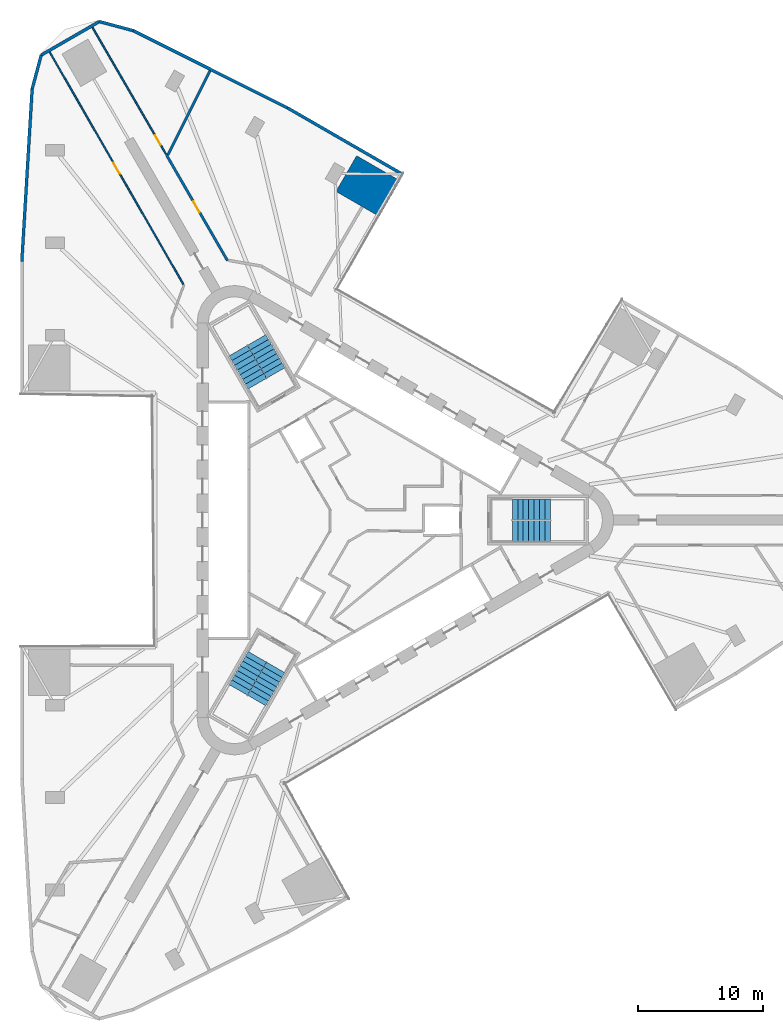
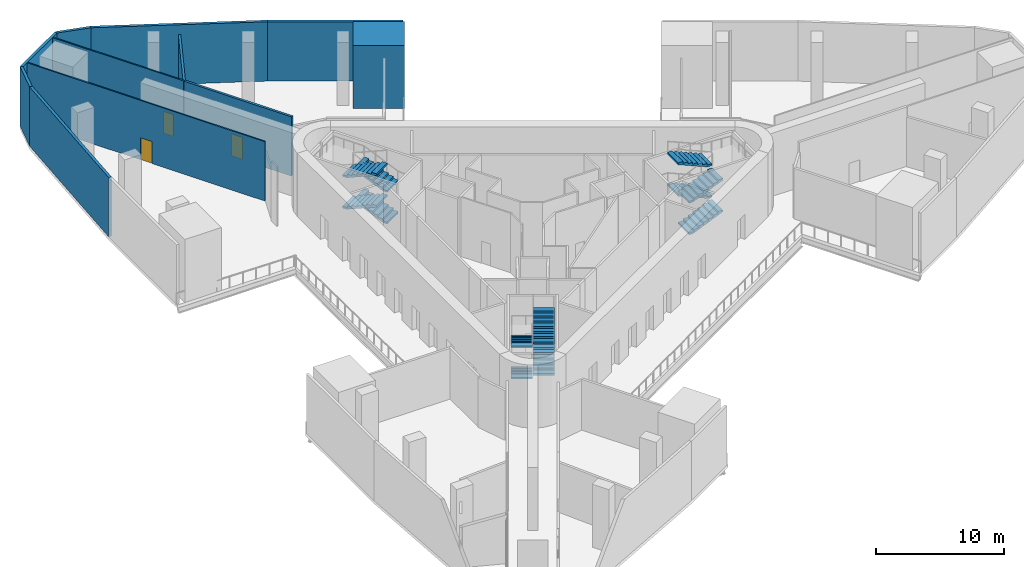
# One storey, part 8 of 11: 12 stair flights, 11 walls, 3 doors, 3 openings, 3 elements without a shape of their own.
"""IFC4 building model written with IfcOpenShell, lengths in metres."""

from ifc_helpers import new_model, si_unit, direction, frame, frame_2d, origin, place, context, subcontext, project, spatial, polyline, rectangle, outline, extrude, material, layer, layer_set, type_object, element, fill, aggregate, save


model = new_model("IFC4")

# Units and contexts
model_context = context("Model", 3, precision=1e-05, world=origin(), true_north=direction((0.0, 1.0)))
body_context = subcontext(model_context, "Body", "Model", "MODEL_VIEW")
ifc_project = project(units=[si_unit("LENGTHUNIT", "METRE"), si_unit("AREAUNIT", "SQUARE_METRE"), si_unit("VOLUMEUNIT", "CUBIC_METRE"), si_unit("PLANEANGLEUNIT", "RADIAN"), si_unit("MASSUNIT", "GRAM", prefix="KILO")], contexts=[model_context])

# Site, building, storey
site_placement = place(None, origin())
site = spatial("IfcSite", under=ifc_project, at=site_placement, CompositionType="ELEMENT")
building_placement = place(site_placement, origin())
building = spatial("IfcBuilding", under=site, at=building_placement, Name="Tanit Gate Tower", CompositionType="ELEMENT")
storey_placement = place(building_placement, frame((0.0, 0.0, 33.5)))
storey = spatial("IfcBuildingStorey", under=building, at=storey_placement, Name="L05", CompositionType="ELEMENT", Elevation=33.5)

# Walls
ifc_material_1 = material(Name="Concrete C30/37 with bronze anodised aluminium cladding", Category="concrete")
ifc_layer_1 = layer(ifc_material_1, 0.239990234375)
ifc_layer_set_1 = layer_set([ifc_layer_1], Name="Facade wall bronze clad 240")
wall_type_1 = type_object("IfcWallType", Name="Facade wall bronze clad 240", PredefinedType="SOLIDWALL", material=ifc_layer_set_1)
wall_1_placement = place(storey_placement, frame((4.2900390625, 27.669677734375, 0.0), z_axis=(0.0, 0.0, 1.0), x_axis=(-0.866062075984, 0.499936476508, 0.0)))
element("IfcWall", 1, at=wall_1_placement, inside=storey, type_object=wall_type_1, Name="Bronze-clad facade wall L05 NE2b", PredefinedType="SOLIDWALL", context=body_context, shape_type="SweptSolid", body=[
    extrude(rectangle(XDim=10.565673828125, YDim=0.239990234375, at=frame_2d((5.28271484375, 0.0))), origin(), (0.0, 0.0, 1.0), 5.64990234375),
])
wall_2_placement = place(storey_placement, frame((-4.860595703125, 32.951904296875, 0.0), z_axis=(0.0, 0.0, 1.0), x_axis=(-0.894285628533, 0.447496608478, 0.0)))
element("IfcWall", 2, at=wall_2_placement, inside=storey, type_object=wall_type_1, Name="Bronze-clad facade wall L05 NE3", PredefinedType="SOLIDWALL", context=body_context, shape_type="SweptSolid", body=[
    extrude(rectangle(XDim=13.80126953125, YDim=0.239990234375, at=frame_2d((6.900634765625, 0.0))), origin(), (0.0, 0.0, 1.0), 5.64990234375),
])
wall_3_placement = place(storey_placement, frame((-17.202880859375, 39.1279296875, 0.0), z_axis=(0.0, 0.0, 1.0), x_axis=(-0.965923146675, 0.25882904535, 0.0)))
element("IfcWall", 3, at=wall_3_placement, inside=storey, type_object=wall_type_1, Name="Bronze-clad facade wall L05 NW.arc1", PredefinedType="SOLIDWALL", context=body_context, shape_type="SweptSolid", body=[
    extrude(rectangle(XDim=2.800537109375, YDim=0.239990234375, at=frame_2d((1.400390625, 0.0))), origin(), (0.0, 0.0, 1.0), 5.64990234375),
])
wall_4_placement = place(storey_placement, frame((-19.907958984375, 39.852783203125, 0.0), z_axis=(0.0, 0.0, 1.0), x_axis=(-0.866010734295, -0.500025407441, 0.0)))
element("IfcWall", 4, at=wall_4_placement, inside=storey, type_object=wall_type_1, Name="Bronze-clad facade wall L05 NW.arc2", PredefinedType="SOLIDWALL", context=body_context, shape_type="SweptSolid", body=[
    extrude(rectangle(XDim=5.371337890625, YDim=0.239990234375, at=frame_2d((2.685546875, 0.0))), origin(), (0.0, 0.0, 1.0), 5.64990234375),
])
wall_5_placement = place(storey_placement, frame((-24.5595703125, 37.1669921875, 0.0), z_axis=(0.0, 0.0, 1.0), x_axis=(-0.258850842196, -0.965917305723, 0.0)))
element("IfcWall", 5, at=wall_5_placement, inside=storey, type_object=wall_type_1, Name="Bronze-clad facade wall L05 NW.arc3", PredefinedType="SOLIDWALL", context=body_context, shape_type="SweptSolid", body=[
    extrude(rectangle(XDim=2.80029296875, YDim=0.239990234375, at=frame_2d((1.400146484375, 0.0))), origin(), (0.0, 0.0, 1.0), 5.64990234375),
])
wall_6_placement = place(storey_placement, frame((-25.284423828125, 34.462158203125, 0.0), z_axis=(0.0, 0.0, 1.0), x_axis=(-0.059807686217, -0.998209918138, 0.0)))
element("IfcWall", 6, at=wall_6_placement, inside=storey, type_object=wall_type_1, Name="Bronze-clad facade wall L05 W1", PredefinedType="SOLIDWALL", context=body_context, shape_type="SweptSolid", body=[
    extrude(rectangle(XDim=13.801513671875, YDim=0.239990234375, at=frame_2d((6.90087890625, 0.0))), origin(), (0.0, 0.0, 1.0), 5.64990234375),
])

# Wall, opening, door
ifc_material_2 = material(Name="Fire-rated gypsum board partition")
ifc_layer_2 = layer(ifc_material_2, 0.199951171875)
ifc_layer_set_2 = layer_set([ifc_layer_2], Name="INT-WALL-COMPARTMENT")
wall_type_2 = type_object("IfcWallType", Name="INT-WALL-COMPARTMENT", PredefinedType="PARTITIONING", material=ifc_layer_set_2)
wall_7_placement = place(storey_placement, frame((-14.516357421875, 29.14306640625, 0.0), z_axis=(0.0, 0.0, 1.0), x_axis=(0.500017455734, -0.866015325477, 0.0)))
wall_7 = element("IfcWall", 7, at=wall_7_placement, inside=storey, type_object=wall_type_2, Name="Wall Compartment W107", PredefinedType="PARTITIONING", context=body_context, shape_type="SweptSolid", body=[
    extrude(rectangle(XDim=9.695068359375, YDim=0.199951171875, at=frame_2d((4.84765625, 0.0))), origin(), (0.0, 0.0, 1.0), 5.64990234375),
])
opening_1_placement = place(wall_7_placement, frame((4.248779296875, 0.0, 0.0)))
opening_1 = element("IfcOpeningElement", 8, at=opening_1_placement, cuts=wall_7, Name="Opening F10-05-20", PredefinedType="OPENING", context=body_context, shape_type="SweptSolid", body=[
    extrude(rectangle(XDim=1.0, YDim=2.10009765625, at=frame_2d((0.5, 1.050048828125))), frame((0.0, 0.10986328125, 0.0), z_axis=(0.0, -1.0, 0.0), x_axis=(1.0, 0.0, 0.0)), (0.0, 0.0, 1.0), 0.219970703125),
])
ifc_material_3 = material(Name="Fire-rated steel door leaf", Category="steel")
door_type_1 = type_object("IfcDoorType", Name="INT-DOOR-FIRE-1000", OperationType="NOTDEFINED", PredefinedType="USERDEFINED", material=ifc_material_3)
door_1_placement = place(opening_1_placement, origin())
door_1 = element("IfcDoor", 9, at=door_1_placement, inside=storey, type_object=door_type_1, Name="Door F10-05-20", ObjectType="FIRE DOOR", OperationType="SINGLE_SWING_RIGHT", OverallHeight=2.10009765625, OverallWidth=1.0, PredefinedType="USERDEFINED", context=body_context, shape_type="SweptSolid", body=[
    extrude(rectangle(XDim=1.0, YDim=2.10009765625, at=frame_2d((0.5, 1.050048828125))), frame((0.0, 0.02490234375, 0.0), z_axis=(0.0, -1.0, 0.0), x_axis=(1.0, 0.0, 0.0)), (0.0, 0.0, 1.0), 0.050048828125),
])
fill(opening_1, door_1)

# Wall
wall_8_placement = place(storey_placement, frame((-11.060791015625, 35.914794921875, 0.0), z_axis=(0.0, 0.0, 1.0), x_axis=(-0.448733308416, -0.893665719337, 0.0)))
element("IfcWall", 10, at=wall_8_placement, inside=storey, type_object=wall_type_2, Name="Wall Compartment W113", PredefinedType="PARTITIONING", context=body_context, shape_type="SweptSolid", body=[
    extrude(rectangle(XDim=7.51513671875, YDim=0.199951171875, at=frame_2d((3.757568359375, 0.0))), origin(), (0.0, 0.0, 1.0), 4.72998046875),
])

# Wall, opening, door
ifc_material_4 = material(Name="Gypsum board partition")
ifc_layer_3 = layer(ifc_material_4, 0.1201171875)
ifc_layer_set_3 = layer_set([ifc_layer_3], Name="INT-WALL-PARTITION")
wall_type_3 = type_object("IfcWallType", Name="INT-WALL-PARTITION", PredefinedType="PARTITIONING", material=ifc_layer_set_3)
wall_9_placement = place(storey_placement, frame((-13.195556640625, 18.855712890625, 0.0), z_axis=(0.0, 0.0, 1.0), x_axis=(-0.498843042698, 0.866692343771, 0.0)))
wall_9 = element("IfcWall", 11, at=wall_9_placement, inside=storey, type_object=wall_type_3, Name="Wall Partition W090", PredefinedType="PARTITIONING", context=body_context, shape_type="SweptSolid", body=[
    extrude(rectangle(XDim=21.420166015625, YDim=0.1201171875, at=frame_2d((10.7099609375, 0.0))), origin(), (0.0, 0.0, 1.0), 5.64990234375),
])
opening_2_placement = place(wall_9_placement, frame((10.186279296875, 0.0, 0.0)))
opening_2 = element("IfcOpeningElement", 12, at=opening_2_placement, cuts=wall_9, Name="Opening D10-05-15", PredefinedType="OPENING", context=body_context, shape_type="SweptSolid", body=[
    extrude(rectangle(XDim=1.0, YDim=2.10009765625, at=frame_2d((0.5, 1.050048828125))), frame((0.0, 0.070068359375, 0.0), z_axis=(0.0, -1.0, 0.0), x_axis=(1.0, 0.0, 0.0)), (0.0, 0.0, 1.0), 0.14013671875),
])
ifc_material_5 = material(Name="Timber door leaf", Category="wood")
door_type_2 = type_object("IfcDoorType", Name="INT-DOOR-SINGLE-1000", OperationType="NOTDEFINED", PredefinedType="NOTDEFINED", material=ifc_material_5)
door_2_placement = place(opening_2_placement, origin())
door_2 = element("IfcDoor", 13, at=door_2_placement, inside=storey, type_object=door_type_2, Name="Door D10-05-15", OperationType="SINGLE_SWING_LEFT", OverallHeight=2.10009765625, OverallWidth=1.0, PredefinedType="NOTDEFINED", context=body_context, shape_type="SweptSolid", body=[
    extrude(rectangle(XDim=1.0, YDim=2.10009765625, at=frame_2d((0.5, 1.050048828125))), frame((0.0, 0.02490234375, 0.0), z_axis=(0.0, -1.0, 0.0), x_axis=(1.0, 0.0, 0.0)), (0.0, 0.0, 1.0), 0.050048828125),
])
fill(opening_2, door_2)

wall_10_placement = place(storey_placement, frame((-20.46630859375, 39.391845703125, 0.0), z_axis=(0.0, 0.0, 1.0), x_axis=(0.502070077019, -0.864826940932, 0.0)))
wall_10 = element("IfcWall", 14, at=wall_10_placement, inside=storey, type_object=wall_type_3, Name="Wall Partition W111", PredefinedType="PARTITIONING", context=body_context, shape_type="SweptSolid", body=[
    extrude(rectangle(XDim=11.79052734375, YDim=0.1201171875, at=frame_2d((5.895263671875, 0.0))), origin(), (0.0, 0.0, 1.0), 5.64990234375),
])
opening_3_placement = place(wall_10_placement, frame((9.966796875, 0.0, 0.0)))
opening_3 = element("IfcOpeningElement", 15, at=opening_3_placement, cuts=wall_10, Name="Opening D09-05-25", PredefinedType="OPENING", context=body_context, shape_type="SweptSolid", body=[
    extrude(rectangle(XDim=0.89990234375, YDim=2.10009765625, at=frame_2d((0.449951171875, 1.050048828125))), frame((0.0, 0.070068359375, 0.0), z_axis=(0.0, -1.0, 0.0), x_axis=(1.0, 0.0, 0.0)), (0.0, 0.0, 1.0), 0.14013671875),
])
ifc_material_6 = material(Name="Timber door leaf", Category="wood")
door_type_3 = type_object("IfcDoorType", Name="INT-DOOR-SINGLE-900", OperationType="NOTDEFINED", PredefinedType="NOTDEFINED", material=ifc_material_6)
door_3_placement = place(opening_3_placement, origin())
door_3 = element("IfcDoor", 16, at=door_3_placement, inside=storey, type_object=door_type_3, Name="Door D09-05-25", OperationType="SINGLE_SWING_RIGHT", OverallHeight=2.10009765625, OverallWidth=0.89990234375, PredefinedType="NOTDEFINED", context=body_context, shape_type="SweptSolid", body=[
    extrude(rectangle(XDim=0.89990234375, YDim=2.10009765625, at=frame_2d((0.449951171875, 1.050048828125))), frame((0.0, 0.02490234375, 0.0), z_axis=(0.0, -1.0, 0.0), x_axis=(1.0, 0.0, 0.0)), (0.0, 0.0, 1.0), 0.050048828125),
])
fill(opening_3, door_3)

# Wall
ifc_material_7 = material(Name="Concrete C60/75", Category="concrete")
ifc_layer_4 = layer(ifc_material_7, 4.0)
ifc_layer_set_4 = layer_set([ifc_layer_4], Name="PIER WALL 4000 C60/75")
wall_type_4 = type_object("IfcWallType", Name="PIER WALL 4000 C60/75", PredefinedType="SHEAR", material=ifc_layer_set_4)
wall_11_placement = place(storey_placement, origin())
element("IfcWall", 17, at=wall_11_placement, inside=storey, type_object=wall_type_4, Name="PIER WALL", PredefinedType="SHEAR", context=body_context, shape_type="SweptSolid", body=[
    extrude(outline(polyline([(4.116455078125, 27.1298828125), (0.65234375, 29.1298828125), (-0.99755859375, 26.27197265625), (2.466552734375, 24.27197265625), (4.116455078125, 27.1298828125)])), origin(), (0.0, 0.0, 1.0), 6.0),
])

# Stair, stair flights
ifc_material_8 = material(Name="Concrete C40/50", Category="concrete")
stair_type = type_object("IfcStairType", Name="INT-STAIR-EXIT", PredefinedType="HALF_TURN_STAIR", material=ifc_material_8)
stair_1_placement = place(storey_placement, origin())
stair_1 = element("IfcStair", 18, at=stair_1_placement, inside=storey, type_object=stair_type, Name="L05 STAIR S1", PredefinedType="HALF_TURN_STAIR")
ifc_material_9 = material(Name="Concrete C40/50", Category="concrete")
stair_flight_type = type_object("IfcStairFlightType", Name="INT-STAIR-FLIGHT", PredefinedType="STRAIGHT", material=ifc_material_9)
stair_flight_1_placement = place(storey_placement, frame((13.094970703125, -0.8525390625, 0.0), z_axis=(0.0, 0.0, 1.0), x_axis=(1.0, 0.0, 0.0)))
stair_flight_1 = element("IfcStairFlight", 19, at=stair_flight_1_placement, type_object=stair_flight_type, Name="S1 flight 1", NumberOfRisers=8, NumberOfTreads=7, PredefinedType="STRAIGHT", RiserHeight=0.1875, TreadLength=0.435857143, context=body_context, shape_type="SweptSolid", body=[
    extrude(outline(polyline([(0.0, 0.0), (0.0, 0.1875), (0.435791015625, 0.1875), (0.435791015625, 0.375), (0.871826171875, 0.375), (0.871826171875, 0.5625), (1.3076171875, 0.5625), (1.3076171875, 0.75), (1.743408203125, 0.75), (1.743408203125, 0.9375), (2.17919921875, 0.9375), (2.17919921875, 1.125), (2.615234375, 1.125), (2.615234375, 1.3125), (3.051025390625, 1.3125), (3.051025390625, 1.5), (3.051025390625, 1.1494140625), (0.37939453125, 0.0), (0.0, 0.0)])), frame((0.0, 0.84765625, 0.0), z_axis=(0.0, -1.0, 0.0), x_axis=(1.0, 0.0, 0.0)), (0.0, 0.0, 1.0), 1.695068359375),
])
stair_flight_2_placement = place(storey_placement, frame((16.14599609375, 0.8525390625, 1.5), z_axis=(0.0, 0.0, 1.0), x_axis=(-1.0, 0.0, 0.0)))
stair_flight_2 = element("IfcStairFlight", 20, at=stair_flight_2_placement, type_object=stair_flight_type, Name="S1 flight 2", NumberOfRisers=8, NumberOfTreads=7, PredefinedType="STRAIGHT", RiserHeight=0.1875, TreadLength=0.435857143, context=body_context, shape_type="SweptSolid", body=[
    extrude(outline(polyline([(0.0, 0.0), (0.0, 0.1875), (0.435791015625, 0.1875), (0.435791015625, 0.375), (0.871826171875, 0.375), (0.871826171875, 0.5625), (1.3076171875, 0.5625), (1.3076171875, 0.75), (1.743408203125, 0.75), (1.743408203125, 0.9375), (2.17919921875, 0.9375), (2.17919921875, 1.125), (2.615234375, 1.125), (2.615234375, 1.3125), (3.051025390625, 1.3125), (3.051025390625, 1.5), (3.051025390625, 1.1494140625), (0.37939453125, 0.0), (0.0, 0.0)])), frame((0.0, 0.84765625, 0.0), z_axis=(0.0, -1.0, 0.0), x_axis=(1.0, 0.0, 0.0)), (0.0, 0.0, 1.0), 1.695068359375),
])
stair_flight_3_placement = place(storey_placement, frame((13.094970703125, -0.8525390625, 3.0), z_axis=(0.0, 0.0, 1.0), x_axis=(1.0, 0.0, 0.0)))
stair_flight_3 = element("IfcStairFlight", 21, at=stair_flight_3_placement, type_object=stair_flight_type, Name="S1 flight 3", NumberOfRisers=8, NumberOfTreads=7, PredefinedType="STRAIGHT", RiserHeight=0.1875, TreadLength=0.435857143, context=body_context, shape_type="SweptSolid", body=[
    extrude(outline(polyline([(0.0, 0.0), (0.0, 0.1875), (0.435791015625, 0.1875), (0.435791015625, 0.375), (0.871826171875, 0.375), (0.871826171875, 0.5625), (1.3076171875, 0.5625), (1.3076171875, 0.75), (1.743408203125, 0.75), (1.743408203125, 0.9375), (2.17919921875, 0.9375), (2.17919921875, 1.125), (2.615234375, 1.125), (2.615234375, 1.3125), (3.051025390625, 1.3125), (3.051025390625, 1.5), (3.051025390625, 1.1494140625), (0.37939453125, 0.0), (0.0, 0.0)])), frame((0.0, 0.84765625, 0.0), z_axis=(0.0, -1.0, 0.0), x_axis=(1.0, 0.0, 0.0)), (0.0, 0.0, 1.0), 1.695068359375),
])
stair_flight_4_placement = place(storey_placement, frame((16.14599609375, 0.8525390625, 4.5), z_axis=(0.0, 0.0, 1.0), x_axis=(-1.0, 0.0, 0.0)))
stair_flight_4 = element("IfcStairFlight", 22, at=stair_flight_4_placement, type_object=stair_flight_type, Name="S1 flight 4", NumberOfRisers=8, NumberOfTreads=7, PredefinedType="STRAIGHT", RiserHeight=0.1875, TreadLength=0.435857143, context=body_context, shape_type="SweptSolid", body=[
    extrude(outline(polyline([(0.0, 0.0), (0.0, 0.1875), (0.435791015625, 0.1875), (0.435791015625, 0.375), (0.871826171875, 0.375), (0.871826171875, 0.5625), (1.3076171875, 0.5625), (1.3076171875, 0.75), (1.743408203125, 0.75), (1.743408203125, 0.9375), (2.17919921875, 0.9375), (2.17919921875, 1.125), (2.615234375, 1.125), (2.615234375, 1.3125), (3.051025390625, 1.3125), (3.051025390625, 1.5), (3.051025390625, 1.1494140625), (0.37939453125, 0.0), (0.0, 0.0)])), frame((0.0, 0.84765625, 0.0), z_axis=(0.0, -1.0, 0.0), x_axis=(1.0, 0.0, 0.0)), (0.0, 0.0, 1.0), 1.695068359375),
])
aggregate(stair_1, [stair_flight_1, stair_flight_2, stair_flight_3, stair_flight_4])

stair_2_placement = place(storey_placement, origin())
stair_2 = element("IfcStair", 23, at=stair_2_placement, inside=storey, type_object=stair_type, Name="L05 STAIR S2", PredefinedType="HALF_TURN_STAIR")
stair_flight_5_placement = place(storey_placement, frame((-5.808349609375, 11.766357421875, 0.0), z_axis=(0.0, 0.0, 1.0), x_axis=(-0.5, 0.866025403784, 0.0)))
stair_flight_5 = element("IfcStairFlight", 24, at=stair_flight_5_placement, type_object=stair_flight_type, Name="S2 flight 1", NumberOfRisers=8, NumberOfTreads=7, PredefinedType="STRAIGHT", RiserHeight=0.1875, TreadLength=0.4356, context=body_context, shape_type="SweptSolid", body=[
    extrude(outline(polyline([(0.0, 0.0), (0.0, 0.1875), (0.435546875, 0.1875), (0.435546875, 0.375), (0.87109375, 0.375), (0.87109375, 0.5625), (1.306884765625, 0.5625), (1.306884765625, 0.75), (1.742431640625, 0.75), (1.742431640625, 0.9375), (2.177978515625, 0.9375), (2.177978515625, 1.125), (2.613525390625, 1.125), (2.613525390625, 1.3125), (3.04931640625, 1.3125), (3.04931640625, 1.5), (3.04931640625, 1.1494140625), (0.379150390625, 0.0), (0.0, 0.0)])), frame((0.0, 0.84716796875, 0.0), z_axis=(0.0, -1.0, 0.0), x_axis=(1.0, 0.0, 0.0)), (0.0, 0.0, 1.0), 1.694091796875),
])
stair_flight_6_placement = place(storey_placement, frame((-8.810302734375, 13.553955078125, 1.5), z_axis=(0.0, 0.0, 1.0), x_axis=(0.5, -0.866025403784, 0.0)))
stair_flight_6 = element("IfcStairFlight", 25, at=stair_flight_6_placement, type_object=stair_flight_type, Name="S2 flight 2", NumberOfRisers=8, NumberOfTreads=7, PredefinedType="STRAIGHT", RiserHeight=0.1875, TreadLength=0.4356, context=body_context, shape_type="SweptSolid", body=[
    extrude(outline(polyline([(0.0, 0.0), (0.0, 0.1875), (0.435546875, 0.1875), (0.435546875, 0.375), (0.87109375, 0.375), (0.87109375, 0.5625), (1.306884765625, 0.5625), (1.306884765625, 0.75), (1.742431640625, 0.75), (1.742431640625, 0.9375), (2.177978515625, 0.9375), (2.177978515625, 1.125), (2.613525390625, 1.125), (2.613525390625, 1.3125), (3.04931640625, 1.3125), (3.04931640625, 1.5), (3.04931640625, 1.1494140625), (0.379150390625, 0.0), (0.0, 0.0)])), frame((0.0, 0.84716796875, 0.0), z_axis=(0.0, -1.0, 0.0), x_axis=(1.0, 0.0, 0.0)), (0.0, 0.0, 1.0), 1.694091796875),
])
stair_flight_7_placement = place(storey_placement, frame((-5.808349609375, 11.766357421875, 3.0), z_axis=(0.0, 0.0, 1.0), x_axis=(-0.5, 0.866025403784, 0.0)))
stair_flight_7 = element("IfcStairFlight", 26, at=stair_flight_7_placement, type_object=stair_flight_type, Name="S2 flight 3", NumberOfRisers=8, NumberOfTreads=7, PredefinedType="STRAIGHT", RiserHeight=0.1875, TreadLength=0.4356, context=body_context, shape_type="SweptSolid", body=[
    extrude(outline(polyline([(0.0, 0.0), (0.0, 0.1875), (0.435546875, 0.1875), (0.435546875, 0.375), (0.87109375, 0.375), (0.87109375, 0.5625), (1.306884765625, 0.5625), (1.306884765625, 0.75), (1.742431640625, 0.75), (1.742431640625, 0.9375), (2.177978515625, 0.9375), (2.177978515625, 1.125), (2.613525390625, 1.125), (2.613525390625, 1.3125), (3.04931640625, 1.3125), (3.04931640625, 1.5), (3.04931640625, 1.1494140625), (0.379150390625, 0.0), (0.0, 0.0)])), frame((0.0, 0.84716796875, 0.0), z_axis=(0.0, -1.0, 0.0), x_axis=(1.0, 0.0, 0.0)), (0.0, 0.0, 1.0), 1.694091796875),
])
stair_flight_8_placement = place(storey_placement, frame((-8.810302734375, 13.553955078125, 4.5), z_axis=(0.0, 0.0, 1.0), x_axis=(0.5, -0.866025403784, 0.0)))
stair_flight_8 = element("IfcStairFlight", 27, at=stair_flight_8_placement, type_object=stair_flight_type, Name="S2 flight 4", NumberOfRisers=8, NumberOfTreads=7, PredefinedType="STRAIGHT", RiserHeight=0.1875, TreadLength=0.4356, context=body_context, shape_type="SweptSolid", body=[
    extrude(outline(polyline([(0.0, 0.0), (0.0, 0.1875), (0.435546875, 0.1875), (0.435546875, 0.375), (0.87109375, 0.375), (0.87109375, 0.5625), (1.306884765625, 0.5625), (1.306884765625, 0.75), (1.742431640625, 0.75), (1.742431640625, 0.9375), (2.177978515625, 0.9375), (2.177978515625, 1.125), (2.613525390625, 1.125), (2.613525390625, 1.3125), (3.04931640625, 1.3125), (3.04931640625, 1.5), (3.04931640625, 1.1494140625), (0.379150390625, 0.0), (0.0, 0.0)])), frame((0.0, 0.84716796875, 0.0), z_axis=(0.0, -1.0, 0.0), x_axis=(1.0, 0.0, 0.0)), (0.0, 0.0, 1.0), 1.694091796875),
])
aggregate(stair_2, [stair_flight_5, stair_flight_6, stair_flight_7, stair_flight_8])

stair_3_placement = place(storey_placement, origin())
stair_3 = element("IfcStair", 28, at=stair_3_placement, inside=storey, type_object=stair_type, Name="L05 STAIR S3", PredefinedType="HALF_TURN_STAIR")
stair_flight_9_placement = place(storey_placement, frame((-7.285888671875, -10.914306640625, 0.0), z_axis=(0.0, 0.0, 1.0), x_axis=(-0.5, -0.866025403784, 0.0)))
stair_flight_9 = element("IfcStairFlight", 29, at=stair_flight_9_placement, type_object=stair_flight_type, Name="S3 flight 1", NumberOfRisers=8, NumberOfTreads=7, PredefinedType="STRAIGHT", RiserHeight=0.1875, TreadLength=0.435857143, context=body_context, shape_type="SweptSolid", body=[
    extrude(outline(polyline([(0.0, 0.0), (0.0, 0.1875), (0.435791015625, 0.1875), (0.435791015625, 0.375), (0.871826171875, 0.375), (0.871826171875, 0.5625), (1.3076171875, 0.5625), (1.3076171875, 0.75), (1.743408203125, 0.75), (1.743408203125, 0.9375), (2.17919921875, 0.9375), (2.17919921875, 1.125), (2.615234375, 1.125), (2.615234375, 1.3125), (3.051025390625, 1.3125), (3.051025390625, 1.5), (3.051025390625, 1.1494140625), (0.37939453125, 0.0), (0.0, 0.0)])), frame((0.0, 0.84765625, 0.0), z_axis=(0.0, -1.0, 0.0), x_axis=(1.0, 0.0, 0.0)), (0.0, 0.0, 1.0), 1.695068359375),
])
stair_flight_10_placement = place(storey_placement, frame((-7.334716796875, -14.4091796875, 1.5), z_axis=(0.0, 0.0, 1.0), x_axis=(0.5, 0.866025403784, 0.0)))
stair_flight_10 = element("IfcStairFlight", 30, at=stair_flight_10_placement, type_object=stair_flight_type, Name="S3 flight 2", NumberOfRisers=8, NumberOfTreads=7, PredefinedType="STRAIGHT", RiserHeight=0.1875, TreadLength=0.435857143, context=body_context, shape_type="SweptSolid", body=[
    extrude(outline(polyline([(0.0, 0.0), (0.0, 0.1875), (0.435791015625, 0.1875), (0.435791015625, 0.375), (0.871826171875, 0.375), (0.871826171875, 0.5625), (1.3076171875, 0.5625), (1.3076171875, 0.75), (1.743408203125, 0.75), (1.743408203125, 0.9375), (2.17919921875, 0.9375), (2.17919921875, 1.125), (2.615234375, 1.125), (2.615234375, 1.3125), (3.051025390625, 1.3125), (3.051025390625, 1.5), (3.051025390625, 1.1494140625), (0.37939453125, 0.0), (0.0, 0.0)])), frame((0.0, 0.84765625, 0.0), z_axis=(0.0, -1.0, 0.0), x_axis=(1.0, 0.0, 0.0)), (0.0, 0.0, 1.0), 1.695068359375),
])
stair_flight_11_placement = place(storey_placement, frame((-7.285888671875, -10.914306640625, 3.0), z_axis=(0.0, 0.0, 1.0), x_axis=(-0.5, -0.866025403784, 0.0)))
stair_flight_11 = element("IfcStairFlight", 31, at=stair_flight_11_placement, type_object=stair_flight_type, Name="S3 flight 3", NumberOfRisers=8, NumberOfTreads=7, PredefinedType="STRAIGHT", RiserHeight=0.1875, TreadLength=0.435857143, context=body_context, shape_type="SweptSolid", body=[
    extrude(outline(polyline([(0.0, 0.0), (0.0, 0.1875), (0.435791015625, 0.1875), (0.435791015625, 0.375), (0.871826171875, 0.375), (0.871826171875, 0.5625), (1.3076171875, 0.5625), (1.3076171875, 0.75), (1.743408203125, 0.75), (1.743408203125, 0.9375), (2.17919921875, 0.9375), (2.17919921875, 1.125), (2.615234375, 1.125), (2.615234375, 1.3125), (3.051025390625, 1.3125), (3.051025390625, 1.5), (3.051025390625, 1.1494140625), (0.37939453125, 0.0), (0.0, 0.0)])), frame((0.0, 0.84765625, 0.0), z_axis=(0.0, -1.0, 0.0), x_axis=(1.0, 0.0, 0.0)), (0.0, 0.0, 1.0), 1.695068359375),
])
stair_flight_12_placement = place(storey_placement, frame((-7.334716796875, -14.4091796875, 4.5), z_axis=(0.0, 0.0, 1.0), x_axis=(0.5, 0.866025403784, 0.0)))
stair_flight_12 = element("IfcStairFlight", 32, at=stair_flight_12_placement, type_object=stair_flight_type, Name="S3 flight 4", NumberOfRisers=8, NumberOfTreads=7, PredefinedType="STRAIGHT", RiserHeight=0.1875, TreadLength=0.435857143, context=body_context, shape_type="SweptSolid", body=[
    extrude(outline(polyline([(0.0, 0.0), (0.0, 0.1875), (0.435791015625, 0.1875), (0.435791015625, 0.375), (0.871826171875, 0.375), (0.871826171875, 0.5625), (1.3076171875, 0.5625), (1.3076171875, 0.75), (1.743408203125, 0.75), (1.743408203125, 0.9375), (2.17919921875, 0.9375), (2.17919921875, 1.125), (2.615234375, 1.125), (2.615234375, 1.3125), (3.051025390625, 1.3125), (3.051025390625, 1.5), (3.051025390625, 1.1494140625), (0.37939453125, 0.0), (0.0, 0.0)])), frame((0.0, 0.84765625, 0.0), z_axis=(0.0, -1.0, 0.0), x_axis=(1.0, 0.0, 0.0)), (0.0, 0.0, 1.0), 1.695068359375),
])
aggregate(stair_3, [stair_flight_9, stair_flight_10, stair_flight_11, stair_flight_12])

save(model, "model.ifc")
